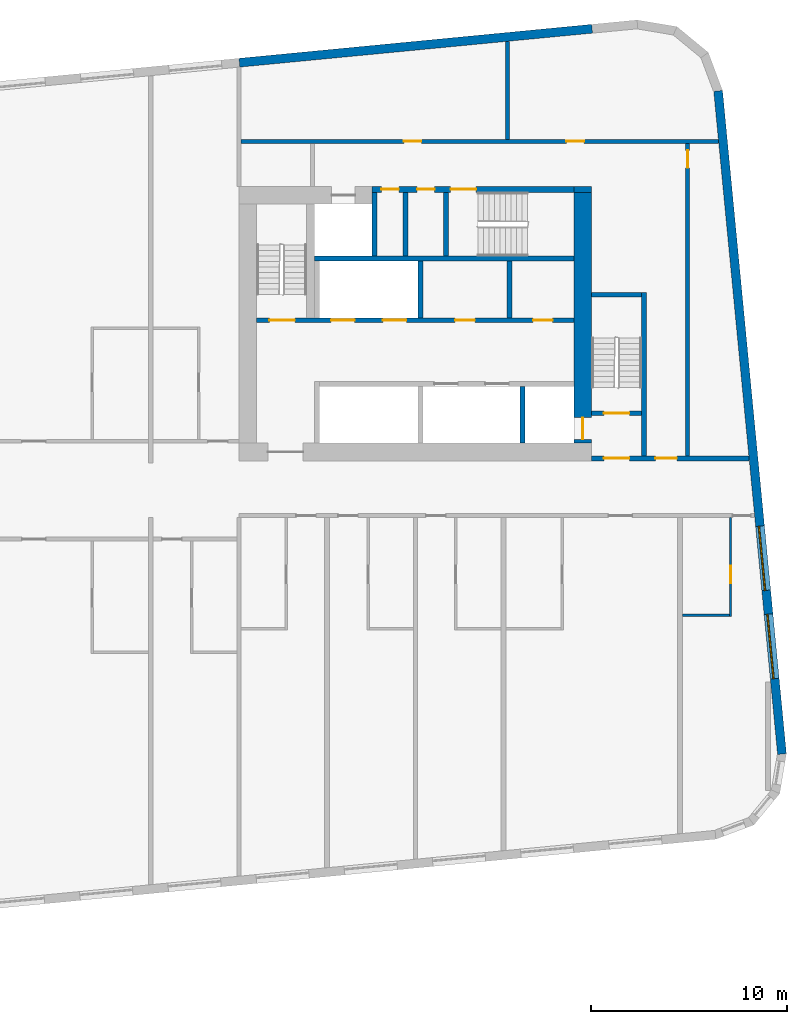
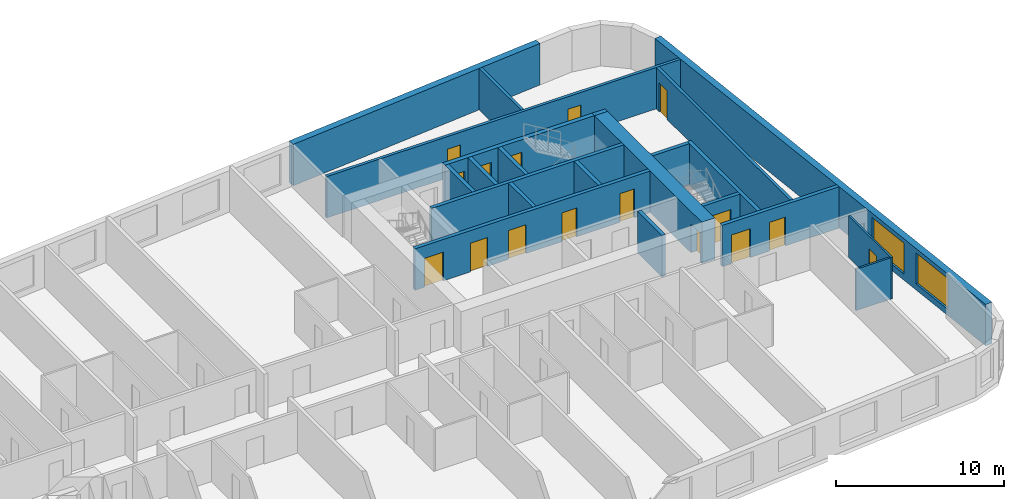
# One storey, part 7 of 12: 22 walls, 16 doors, 2 windows, 18 openings.
"""IFC4 building model written with IfcOpenShell, lengths in metres."""

from ifc_helpers import new_model, si_unit, direction, frame, frame_2d, origin, place, context, subcontext, project, spatial, rectangle, extrude, material, layer, layer_set, type_object, element, fill, save


model = new_model("IFC4")

# Units and contexts
model_context = context("Model", 3, precision=1e-05, world=origin(), true_north=direction((0.0, 1.0)))
body_context = subcontext(model_context, "Body", "Model", "MODEL_VIEW")
ifc_project = project(units=[si_unit("LENGTHUNIT", "METRE"), si_unit("AREAUNIT", "SQUARE_METRE"), si_unit("VOLUMEUNIT", "CUBIC_METRE"), si_unit("PLANEANGLEUNIT", "RADIAN"), si_unit("MASSUNIT", "GRAM", prefix="KILO")], contexts=[model_context])

# Site, building, storey
site_placement = place(None, origin())
site = spatial("IfcSite", under=ifc_project, at=site_placement, CompositionType="ELEMENT")
building_placement = place(site_placement, origin())
building = spatial("IfcBuilding", under=site, at=building_placement, Name="Kajstack Hotel Tower", CompositionType="ELEMENT")
storey_placement = place(building_placement, frame((0.0, 0.0, 173.5)))
storey = spatial("IfcBuildingStorey", under=building, at=storey_placement, Name="L40", CompositionType="ELEMENT", Elevation=173.5)

# Wall
ifc_material_1 = material(Name="Concrete C60/75", Category="concrete")
ifc_layer_1 = layer(ifc_material_1, 0.89990234375)
ifc_layer_set_1 = layer_set([ifc_layer_1], Name="Core wall 900")
wall_type_1 = type_object("IfcWallType", Name="Core wall 900", PredefinedType="SHEAR", material=ifc_layer_set_1)
wall_1_placement = place(storey_placement, frame((30.60009765625, 15.35009765625, 0.0), z_axis=(0.0, 0.0, 1.0), x_axis=(1.0, 0.0, 0.0)))
element("IfcWall", 1, at=wall_1_placement, inside=storey, type_object=wall_type_1, Name="Core wall E RSW", PredefinedType="SHEAR", context=body_context, shape_type="SweptSolid", body=[
    extrude(rectangle(XDim=0.89990234375, YDim=0.300048828125, at=frame_2d((0.449951171875, 0.0))), origin(), (0.0, 0.0, 1.0), 3.02001953125),
])

# Wall, opening, door
wall_2_placement = place(storey_placement, frame((31.050048828125, 2.39990234375, 0.0), z_axis=(0.0, 0.0, 1.0), x_axis=(0.0, 1.0, 0.0)))
wall_2 = element("IfcWall", 2, at=wall_2_placement, inside=storey, type_object=wall_type_1, Name="Core wall E RW", PredefinedType="SHEAR", context=body_context, shape_type="SweptSolid", body=[
    extrude(rectangle(XDim=12.800048828125, YDim=0.89990234375, at=frame_2d((6.39990234375, 0.0))), origin(), (0.0, 0.0, 1.0), 3.02001953125),
])
opening_1_placement = place(wall_2_placement, frame((0.199951171875, 0.0, 0.0)))
opening_1 = element("IfcOpeningElement", 3, at=opening_1_placement, cuts=wall_2, Name="Opening LD-FF2", PredefinedType="OPENING", context=body_context, shape_type="SweptSolid", body=[
    extrude(rectangle(XDim=1.10009765625, YDim=2.10009765625, at=frame_2d((0.550048828125, 1.050048828125))), frame((0.0, 0.4599609375, 0.0), z_axis=(0.0, -1.0, 0.0), x_axis=(1.0, 0.0, 0.0)), (0.0, 0.0, 1.0), 0.919921875),
])
ifc_material_2 = material(Name="Stainless steel", Category="steel")
door_type_1 = type_object("IfcDoorType", Name="Fire-fighting lift landing door 1100", OperationType="SLIDING_TO_LEFT", PredefinedType="DOOR", material=ifc_material_2)
door_1_placement = place(opening_1_placement, origin())
door_1 = element("IfcDoor", 4, at=door_1_placement, inside=storey, type_object=door_type_1, Name="Landing door FF2", OperationType="SLIDING_TO_LEFT", OverallHeight=2.10009765625, OverallWidth=1.10009765625, PredefinedType="DOOR", context=body_context, shape_type="SweptSolid", body=[
    extrude(rectangle(XDim=1.10009765625, YDim=2.10009765625, at=frame_2d((0.550048828125, 1.050048828125))), frame((0.0, 0.02490234375, 0.0), z_axis=(0.0, -1.0, 0.0), x_axis=(1.0, 0.0, 0.0)), (0.0, 0.0, 1.0), 0.050048828125),
])
fill(opening_1, door_1)

# Wall
ifc_material_3 = material(Name="Concrete C40/50", Category="concrete")
ifc_layer_2 = layer(ifc_material_3, 0.449951171875)
ifc_layer_set_2 = layer_set([ifc_layer_2], Name="EW-CORE")
wall_type_2 = type_object("IfcWallType", Name="EW-CORE", PredefinedType="SOLIDWALL", material=ifc_layer_set_2)
wall_3_placement = place(storey_placement, frame((31.521484375, 23.55078125, 0.0), z_axis=(0.0, 0.0, 1.0), x_axis=(-0.995395166513, -0.095856468129, 0.0)))
element("IfcWall", 5, at=wall_3_placement, inside=storey, type_object=wall_type_2, Name="E-wall-L40-12-01", PredefinedType="SOLIDWALL", context=body_context, shape_type="SweptSolid", body=[
    extrude(rectangle(XDim=18.083251953125, YDim=0.449951171875, at=frame_2d((9.04150390625, 0.0))), origin(), (0.0, 0.0, 1.0), 3.02001953125),
])

# Wall, openings, windows
ifc_material_4 = material(Name="Terracotta-faced brick masonry", Category="masonry")
ifc_layer_3 = layer(ifc_material_4, 0.449951171875)
ifc_layer_set_3 = layer_set([ifc_layer_3], Name="EW-TERRA")
wall_type_3 = type_object("IfcWallType", Name="EW-TERRA", PredefinedType="SOLIDWALL", material=ifc_layer_set_3)
wall_4_placement = place(storey_placement, frame((41.21435546875, -13.465576171875, 0.0), z_axis=(0.0, 0.0, 1.0), x_axis=(-0.095847314626, 0.995396047952, 0.0)))
wall_4 = element("IfcWall", 6, at=wall_4_placement, inside=storey, type_object=wall_type_3, Name="E-wall-L40-08-00", PredefinedType="SOLIDWALL", context=body_context, shape_type="SweptSolid", body=[
    extrude(rectangle(XDim=33.999755859375, YDim=0.449951171875, at=frame_2d((17.0, 0.0))), origin(), (0.0, 0.0, 1.0), 3.02001953125),
])
opening_2_placement = place(wall_4_placement, frame((3.869384765625, 0.0, 0.449951171875)))
opening_2 = element("IfcOpeningElement", 7, at=opening_2_placement, cuts=wall_4, Name="Opening W2", PredefinedType="OPENING", context=body_context, shape_type="SweptSolid", body=[
    extrude(rectangle(XDim=3.300048828125, YDim=2.25, at=frame_2d((1.64990234375, 1.125))), frame((0.0, 0.23486328125, 0.0), z_axis=(0.0, -1.0, 0.0), x_axis=(1.0, 0.0, 0.0)), (0.0, 0.0, 1.0), 0.469970703125),
])
opening_3_placement = place(wall_4_placement, frame((8.390380859375, 0.0, 0.449951171875)))
opening_3 = element("IfcOpeningElement", 8, at=opening_3_placement, cuts=wall_4, Name="Opening W2", PredefinedType="OPENING", context=body_context, shape_type="SweptSolid", body=[
    extrude(rectangle(XDim=3.300048828125, YDim=2.25, at=frame_2d((1.64990234375, 1.125))), frame((0.0, 0.23486328125, 0.0), z_axis=(0.0, -1.0, 0.0), x_axis=(1.0, 0.0, 0.0)), (0.0, 0.0, 1.0), 0.469970703125),
])
ifc_material_5 = material(Name="Timber-aluminium window, triple glazed", Category="wood")
window_type = type_object("IfcWindowType", Name="WG2", PartitioningType="SINGLE_PANEL", PredefinedType="WINDOW", material=ifc_material_5)
window_1_placement = place(opening_2_placement, origin())
window_1 = element("IfcWindow", 9, at=window_1_placement, inside=storey, type_object=window_type, Name="Window W2 L40-08", OverallHeight=2.25, OverallWidth=3.300048828125, PartitioningType="SINGLE_PANEL", PredefinedType="WINDOW", context=body_context, shape_type="SweptSolid", body=[
    extrude(rectangle(XDim=3.300048828125, YDim=2.25, at=frame_2d((1.64990234375, 1.125))), frame((0.0, 0.090087890625, 0.0), z_axis=(0.0, -1.0, 0.0), x_axis=(1.0, 0.0, 0.0)), (0.0, 0.0, 1.0), 0.06005859375),
])
fill(opening_2, window_1)
window_2_placement = place(opening_3_placement, origin())
window_2 = element("IfcWindow", 10, at=window_2_placement, inside=storey, type_object=window_type, Name="Window W2 L40-08", OverallHeight=2.25, OverallWidth=3.300048828125, PartitioningType="SINGLE_PANEL", PredefinedType="WINDOW", context=body_context, shape_type="SweptSolid", body=[
    extrude(rectangle(XDim=3.300048828125, YDim=2.25, at=frame_2d((1.64990234375, 1.125))), frame((0.0, 0.090087890625, 0.0), z_axis=(0.0, -1.0, 0.0), x_axis=(1.0, 0.0, 0.0)), (0.0, 0.0, 1.0), 0.06005859375),
])
fill(opening_3, window_2)

# Wall, opening, door
ifc_material_6 = material(Name="Gypsum board and tiled backer on steel studs", Category="steel")
ifc_layer_4 = layer(ifc_material_6, 0.125)
ifc_layer_set_4 = layer_set([ifc_layer_4], Name="En-suite wall 125")
wall_type_4 = type_object("IfcWallType", Name="En-suite wall 125", PredefinedType="PARTITIONING", material=ifc_layer_set_4)
wall_5_placement = place(storey_placement, frame((38.5869140625, -6.445068359375, 0.0), z_axis=(0.0, 0.0, 1.0), x_axis=(0.0, 1.0, 0.0)))
wall_5 = element("IfcWall", 11, at=wall_5_placement, inside=storey, type_object=wall_type_4, Name="G-wall-L40-051", PredefinedType="PARTITIONING", context=body_context, shape_type="SweptSolid", body=[
    extrude(rectangle(XDim=5.045166015625, YDim=0.125, at=frame_2d((2.5224609375, 0.0))), origin(), (0.0, 0.0, 1.0), 3.02001953125),
])
opening_4_placement = place(wall_5_placement, frame((1.695068359375, 0.0, 0.0)))
opening_4 = element("IfcOpeningElement", 12, at=opening_4_placement, cuts=wall_5, Name="Opening 40040", PredefinedType="OPENING", context=body_context, shape_type="SweptSolid", body=[
    extrude(rectangle(XDim=0.89990234375, YDim=2.10009765625, at=frame_2d((0.449951171875, 1.050048828125))), frame((0.0, 0.072509765625, 0.0), z_axis=(0.0, -1.0, 0.0), x_axis=(1.0, 0.0, 0.0)), (0.0, 0.0, 1.0), 0.14501953125),
])
ifc_material_7 = material(Name="Painted timber door leaf", Category="wood")
door_type_2 = type_object("IfcDoorType", Name="Room door 900", OperationType="SINGLE_SWING_LEFT", PredefinedType="DOOR", material=ifc_material_7)
door_2_placement = place(opening_4_placement, origin())
door_2 = element("IfcDoor", 13, at=door_2_placement, inside=storey, type_object=door_type_2, Name="G-door-L40-40", OperationType="SINGLE_SWING_RIGHT", OverallHeight=2.10009765625, OverallWidth=0.89990234375, PredefinedType="DOOR", context=body_context, shape_type="SweptSolid", body=[
    extrude(rectangle(XDim=0.89990234375, YDim=2.10009765625, at=frame_2d((0.449951171875, 1.050048828125))), frame((0.0, 0.02490234375, 0.0), z_axis=(0.0, -1.0, 0.0), x_axis=(1.0, 0.0, 0.0)), (0.0, 0.0, 1.0), 0.050048828125),
])
fill(opening_4, door_2)

# Walls
wall_6_placement = place(storey_placement, frame((36.125, -6.382080078125, 0.0), z_axis=(0.0, 0.0, 1.0), x_axis=(1.0, 0.0, 0.0)))
element("IfcWall", 14, at=wall_6_placement, inside=storey, type_object=wall_type_4, Name="G-wall-L40-052", PredefinedType="PARTITIONING", context=body_context, shape_type="SweptSolid", body=[
    extrude(rectangle(XDim=2.39990234375, YDim=0.125, at=frame_2d((1.199951171875, 0.0))), origin(), (0.0, 0.0, 1.0), 3.02001953125),
])
ifc_material_8 = material(Name="Concrete C50/60", Category="concrete")
ifc_layer_5 = layer(ifc_material_8, 0.300048828125)
ifc_layer_set_5 = layer_set([ifc_layer_5], Name="Hoistway divider wall 300")
wall_type_5 = type_object("IfcWallType", Name="Hoistway divider wall 300", PredefinedType="SHEAR", material=ifc_layer_set_5)
wall_7_placement = place(storey_placement, frame((22.77490234375, 8.800048828125, 0.0), z_axis=(0.0, 0.0, 1.0), x_axis=(0.0, 1.0, 0.0)))
element("IfcWall", 15, at=wall_7_placement, inside=storey, type_object=wall_type_5, Name="Core wall E BP2", PredefinedType="SHEAR", context=body_context, shape_type="SweptSolid", body=[
    extrude(rectangle(XDim=2.89990234375, YDim=0.25, at=frame_2d((1.449951171875, 0.0))), origin(), (0.0, 0.0, 1.0), 3.02001953125),
])
ifc_material_9 = material(Name="Concrete block masonry", Category="masonry")
ifc_layer_6 = layer(ifc_material_9, 0.25)
ifc_layer_set_6 = layer_set([ifc_layer_6], Name="Riser partition 250")
wall_type_6 = type_object("IfcWallType", Name="Riser partition 250", PredefinedType="PARTITIONING", material=ifc_layer_set_6)
wall_8_placement = place(storey_placement, frame((27.300048828125, 8.800048828125, 0.0), z_axis=(0.0, 0.0, 1.0), x_axis=(0.0, 1.0, 0.0)))
element("IfcWall", 16, at=wall_8_placement, inside=storey, type_object=wall_type_6, Name="Partition E BF0", PredefinedType="PARTITIONING", context=body_context, shape_type="SweptSolid", body=[
    extrude(rectangle(XDim=2.89990234375, YDim=0.25, at=frame_2d((1.449951171875, 0.0))), origin(), (0.0, 0.0, 1.0), 3.02001953125),
])
wall_9_placement = place(storey_placement, frame((22.0, 11.949951171875, 0.0), z_axis=(0.0, 0.0, 1.0), x_axis=(0.0, 1.0, 0.0)))
element("IfcWall", 17, at=wall_9_placement, inside=storey, type_object=wall_type_6, Name="Partition E SZ0", PredefinedType="PARTITIONING", context=body_context, shape_type="SweptSolid", body=[
    extrude(rectangle(XDim=3.25, YDim=0.25, at=frame_2d((1.625, 0.0))), origin(), (0.0, 0.0, 1.0), 3.02001953125),
])

# Wall, openings, doors
ifc_material_10 = material(Name="Gypsum board on steel studs, mineral wool", Category="steel")
ifc_layer_7 = layer(ifc_material_10, 0.199951171875)
ifc_layer_set_7 = layer_set([ifc_layer_7], Name="Service partition 200")
wall_type_7 = type_object("IfcWallType", Name="Service partition 200", PredefinedType="PARTITIONING", material=ifc_layer_set_7)
wall_10_placement = place(storey_placement, frame((31.5, 1.625, 0.0), z_axis=(0.0, 0.0, 1.0), x_axis=(1.0, 0.0, 0.0)))
wall_10 = element("IfcWall", 18, at=wall_10_placement, inside=storey, type_object=wall_type_7, Name="Partition E SN", PredefinedType="PARTITIONING", context=body_context, shape_type="SweptSolid", body=[
    extrude(rectangle(XDim=8.035400390625, YDim=0.25, at=frame_2d((4.017578125, 0.0))), origin(), (0.0, 0.0, 1.0), 3.02001953125),
])
opening_5_placement = place(wall_10_placement, frame((0.625, 0.0, 0.0)))
opening_5 = element("IfcOpeningElement", 19, at=opening_5_placement, cuts=wall_10, Name="Opening 40E08", PredefinedType="OPENING", context=body_context, shape_type="SweptSolid", body=[
    extrude(rectangle(XDim=1.300048828125, YDim=2.10009765625, at=frame_2d((0.64990234375, 1.050048828125))), frame((0.0, 0.135009765625, 0.0), z_axis=(0.0, -1.0, 0.0), x_axis=(1.0, 0.0, 0.0)), (0.0, 0.0, 1.0), 0.27001953125),
])
opening_6_placement = place(wall_10_placement, frame((3.25, 0.0, 0.0)))
opening_6 = element("IfcOpeningElement", 20, at=opening_6_placement, cuts=wall_10, Name="Opening 40E10", PredefinedType="OPENING", context=body_context, shape_type="SweptSolid", body=[
    extrude(rectangle(XDim=1.10009765625, YDim=2.10009765625, at=frame_2d((0.550048828125, 1.050048828125))), frame((0.0, 0.135009765625, 0.0), z_axis=(0.0, -1.0, 0.0), x_axis=(1.0, 0.0, 0.0)), (0.0, 0.0, 1.0), 0.27001953125),
])
ifc_material_11 = material(Name="Steel leaf, fire-rated", Category="steel")
door_type_3 = type_object("IfcDoorType", Name="Fire lobby door 1300", OperationType="SINGLE_SWING_LEFT", PredefinedType="DOOR", material=ifc_material_11)
door_3_placement = place(opening_5_placement, origin())
door_3 = element("IfcDoor", 21, at=door_3_placement, inside=storey, type_object=door_type_3, Name="Door 40E08", OperationType="SINGLE_SWING_LEFT", OverallHeight=2.10009765625, OverallWidth=1.300048828125, PredefinedType="DOOR", context=body_context, shape_type="SweptSolid", body=[
    extrude(rectangle(XDim=1.300048828125, YDim=2.10009765625, at=frame_2d((0.64990234375, 1.050048828125))), frame((0.0, 0.02490234375, 0.0), z_axis=(0.0, -1.0, 0.0), x_axis=(1.0, 0.0, 0.0)), (0.0, 0.0, 1.0), 0.050048828125),
])
fill(opening_5, door_3)
ifc_material_12 = material(Name="Timber leaf, fire-rated", Category="wood")
door_type_4 = type_object("IfcDoorType", Name="Service corridor door 1100", OperationType="SINGLE_SWING_LEFT", PredefinedType="DOOR", material=ifc_material_12)
door_4_placement = place(opening_6_placement, origin())
door_4 = element("IfcDoor", 22, at=door_4_placement, inside=storey, type_object=door_type_4, Name="Door 40E10", OperationType="SINGLE_SWING_LEFT", OverallHeight=2.10009765625, OverallWidth=1.10009765625, PredefinedType="DOOR", context=body_context, shape_type="SweptSolid", body=[
    extrude(rectangle(XDim=1.10009765625, YDim=2.10009765625, at=frame_2d((0.550048828125, 1.050048828125))), frame((0.0, 0.02490234375, 0.0), z_axis=(0.0, -1.0, 0.0), x_axis=(1.0, 0.0, 0.0)), (0.0, 0.0, 1.0), 0.050048828125),
])
fill(opening_6, door_4)

# Wall, opening, door
wall_11_placement = place(storey_placement, frame((36.39990234375, 1.75, 0.0), z_axis=(0.0, 0.0, 1.0), x_axis=(0.0, 1.0, 0.0)))
wall_11 = element("IfcWall", 23, at=wall_11_placement, inside=storey, type_object=wall_type_7, Name="Partition E WRE", PredefinedType="PARTITIONING", context=body_context, shape_type="SweptSolid", body=[
    extrude(rectangle(XDim=15.949951171875, YDim=0.199951171875, at=frame_2d((7.97509765625, 0.0))), origin(), (0.0, 0.0, 1.0), 3.02001953125),
])
opening_7_placement = place(wall_11_placement, frame((14.699951171875, 0.0, 0.0)))
opening_7 = element("IfcOpeningElement", 24, at=opening_7_placement, cuts=wall_11, Name="Opening 40E19", PredefinedType="OPENING", context=body_context, shape_type="SweptSolid", body=[
    extrude(rectangle(XDim=0.89990234375, YDim=2.10009765625, at=frame_2d((0.449951171875, 1.050048828125))), frame((0.0, 0.10986328125, 0.0), z_axis=(0.0, -1.0, 0.0), x_axis=(1.0, 0.0, 0.0)), (0.0, 0.0, 1.0), 0.219970703125),
])
door_type_5 = type_object("IfcDoorType", Name="Service door 900", OperationType="SINGLE_SWING_LEFT", PredefinedType="DOOR", material=ifc_material_12)
door_5_placement = place(opening_7_placement, origin())
door_5 = element("IfcDoor", 25, at=door_5_placement, inside=storey, type_object=door_type_5, Name="Door 40E19", OperationType="SINGLE_SWING_RIGHT", OverallHeight=2.10009765625, OverallWidth=0.89990234375, PredefinedType="DOOR", context=body_context, shape_type="SweptSolid", body=[
    extrude(rectangle(XDim=0.89990234375, YDim=2.10009765625, at=frame_2d((0.449951171875, 1.050048828125))), frame((0.0, 0.02490234375, 0.0), z_axis=(0.0, -1.0, 0.0), x_axis=(1.0, 0.0, 0.0)), (0.0, 0.0, 1.0), 0.050048828125),
])
fill(opening_7, door_5)

# Wall, openings, doors
wall_12_placement = place(storey_placement, frame((13.60009765625, 17.800048828125, 0.0), z_axis=(0.0, 0.0, 1.0), x_axis=(1.0, 0.0, 0.0)))
wall_12 = element("IfcWall", 26, at=wall_12_placement, inside=storey, type_object=wall_type_7, Name="Partition E SLN", PredefinedType="PARTITIONING", context=body_context, shape_type="SweptSolid", body=[
    extrude(rectangle(XDim=24.377685546875, YDim=0.199951171875, at=frame_2d((12.18896484375, 0.0))), origin(), (0.0, 0.0, 1.0), 3.02001953125),
])
opening_8_placement = place(wall_12_placement, frame((16.612548828125, 0.0, 0.0)))
opening_8 = element("IfcOpeningElement", 27, at=opening_8_placement, cuts=wall_12, Name="Opening 40E17", PredefinedType="OPENING", context=body_context, shape_type="SweptSolid", body=[
    extrude(rectangle(XDim=0.89990234375, YDim=2.10009765625, at=frame_2d((0.449951171875, 1.050048828125))), frame((0.0, 0.10986328125, 0.0), z_axis=(0.0, -1.0, 0.0), x_axis=(1.0, 0.0, 0.0)), (0.0, 0.0, 1.0), 0.219970703125),
])
opening_9_placement = place(wall_12_placement, frame((8.3125, 0.0, 0.0)))
opening_9 = element("IfcOpeningElement", 28, at=opening_9_placement, cuts=wall_12, Name="Opening 40E18", PredefinedType="OPENING", context=body_context, shape_type="SweptSolid", body=[
    extrude(rectangle(XDim=0.89990234375, YDim=2.10009765625, at=frame_2d((0.449951171875, 1.050048828125))), frame((0.0, 0.10986328125, 0.0), z_axis=(0.0, -1.0, 0.0), x_axis=(1.0, 0.0, 0.0)), (0.0, 0.0, 1.0), 0.219970703125),
])
door_6_placement = place(opening_8_placement, origin())
door_6 = element("IfcDoor", 29, at=door_6_placement, inside=storey, type_object=door_type_5, Name="Door 40E17", OperationType="SINGLE_SWING_LEFT", OverallHeight=2.10009765625, OverallWidth=0.89990234375, PredefinedType="DOOR", context=body_context, shape_type="SweptSolid", body=[
    extrude(rectangle(XDim=0.89990234375, YDim=2.10009765625, at=frame_2d((0.449951171875, 1.050048828125))), frame((0.0, 0.02490234375, 0.0), z_axis=(0.0, -1.0, 0.0), x_axis=(1.0, 0.0, 0.0)), (0.0, 0.0, 1.0), 0.050048828125),
])
fill(opening_8, door_6)
door_7_placement = place(opening_9_placement, origin())
door_7 = element("IfcDoor", 30, at=door_7_placement, inside=storey, type_object=door_type_5, Name="Door 40E18", OperationType="SINGLE_SWING_LEFT", OverallHeight=2.10009765625, OverallWidth=0.89990234375, PredefinedType="DOOR", context=body_context, shape_type="SweptSolid", body=[
    extrude(rectangle(XDim=0.89990234375, YDim=2.10009765625, at=frame_2d((0.449951171875, 1.050048828125))), frame((0.0, 0.02490234375, 0.0), z_axis=(0.0, -1.0, 0.0), x_axis=(1.0, 0.0, 0.0)), (0.0, 0.0, 1.0), 0.050048828125),
])
fill(opening_9, door_7)

# Wall
wall_13_placement = place(storey_placement, frame((27.199951171875, 17.89990234375, 0.0), z_axis=(0.0, 0.0, 1.0), x_axis=(0.0, 1.0, 0.0)))
element("IfcWall", 31, at=wall_13_placement, inside=storey, type_object=wall_type_7, Name="Partition E SLP0", PredefinedType="PARTITIONING", context=body_context, shape_type="SweptSolid", body=[
    extrude(rectangle(XDim=5.009521484375, YDim=0.199951171875, at=frame_2d((2.5048828125, 0.0))), origin(), (0.0, 0.0, 1.0), 3.02001953125),
])

# Wall, openings, doors
ifc_layer_8 = layer(ifc_material_8, 0.25)
ifc_layer_set_8 = layer_set([ifc_layer_8], Name="Shaft wall 250")
wall_type_8 = type_object("IfcWallType", Name="Shaft wall 250", PredefinedType="SHEAR", material=ifc_layer_set_8)
wall_14_placement = place(storey_placement, frame((20.300048828125, 15.35009765625, 0.0), z_axis=(0.0, 0.0, 1.0), x_axis=(1.0, 0.0, 0.0)))
wall_14 = element("IfcWall", 32, at=wall_14_placement, inside=storey, type_object=wall_type_8, Name="Core wall E RSS", PredefinedType="SHEAR", context=body_context, shape_type="SweptSolid", body=[
    extrude(rectangle(XDim=10.300048828125, YDim=0.300048828125, at=frame_2d((5.14990234375, 0.0))), origin(), (0.0, 0.0, 1.0), 3.02001953125),
])
opening_10_placement = place(wall_14_placement, frame((4.0, 0.0, 0.0)))
opening_10 = element("IfcOpeningElement", 33, at=opening_10_placement, cuts=wall_14, Name="Opening 40E12", PredefinedType="OPENING", context=body_context, shape_type="SweptSolid", body=[
    extrude(rectangle(XDim=1.300048828125, YDim=2.10009765625, at=frame_2d((0.64990234375, 1.050048828125))), frame((0.0, 0.159912109375, 0.0), z_axis=(0.0, -1.0, 0.0), x_axis=(1.0, 0.0, 0.0)), (0.0, 0.0, 1.0), 0.320068359375),
])
opening_11_placement = place(wall_14_placement, frame((2.28759765625, 0.0, 0.0)))
opening_11 = element("IfcOpeningElement", 34, at=opening_11_placement, cuts=wall_14, Name="Opening 40E13", PredefinedType="OPENING", context=body_context, shape_type="SweptSolid", body=[
    extrude(rectangle(XDim=0.89990234375, YDim=2.10009765625, at=frame_2d((0.449951171875, 1.050048828125))), frame((0.0, 0.159912109375, 0.0), z_axis=(0.0, -1.0, 0.0), x_axis=(1.0, 0.0, 0.0)), (0.0, 0.0, 1.0), 0.320068359375),
])
opening_12_placement = place(wall_14_placement, frame((0.46240234375, 0.0, 0.0)))
opening_12 = element("IfcOpeningElement", 35, at=opening_12_placement, cuts=wall_14, Name="Opening 40E14", PredefinedType="OPENING", context=body_context, shape_type="SweptSolid", body=[
    extrude(rectangle(XDim=0.89990234375, YDim=2.10009765625, at=frame_2d((0.449951171875, 1.050048828125))), frame((0.0, 0.159912109375, 0.0), z_axis=(0.0, -1.0, 0.0), x_axis=(1.0, 0.0, 0.0)), (0.0, 0.0, 1.0), 0.320068359375),
])
door_8_placement = place(opening_11_placement, origin())
door_8 = element("IfcDoor", 36, at=door_8_placement, inside=storey, type_object=door_type_5, Name="Door 40E13", OperationType="SINGLE_SWING_RIGHT", OverallHeight=2.10009765625, OverallWidth=0.89990234375, PredefinedType="DOOR", context=body_context, shape_type="SweptSolid", body=[
    extrude(rectangle(XDim=0.89990234375, YDim=2.10009765625, at=frame_2d((0.449951171875, 1.050048828125))), frame((0.0, 0.02490234375, 0.0), z_axis=(0.0, -1.0, 0.0), x_axis=(1.0, 0.0, 0.0)), (0.0, 0.0, 1.0), 0.050048828125),
])
fill(opening_11, door_8)
door_9_placement = place(opening_12_placement, origin())
door_9 = element("IfcDoor", 37, at=door_9_placement, inside=storey, type_object=door_type_5, Name="Door 40E14", OperationType="SINGLE_SWING_RIGHT", OverallHeight=2.10009765625, OverallWidth=0.89990234375, PredefinedType="DOOR", context=body_context, shape_type="SweptSolid", body=[
    extrude(rectangle(XDim=0.89990234375, YDim=2.10009765625, at=frame_2d((0.449951171875, 1.050048828125))), frame((0.0, 0.02490234375, 0.0), z_axis=(0.0, -1.0, 0.0), x_axis=(1.0, 0.0, 0.0)), (0.0, 0.0, 1.0), 0.050048828125),
])
fill(opening_12, door_9)
door_type_6 = type_object("IfcDoorType", Name="Stair door 1300", OperationType="SINGLE_SWING_LEFT", PredefinedType="DOOR", material=ifc_material_11)
door_10_placement = place(opening_10_placement, origin())
door_10 = element("IfcDoor", 38, at=door_10_placement, inside=storey, type_object=door_type_6, Name="Door 40E12", OperationType="SINGLE_SWING_LEFT", OverallHeight=2.10009765625, OverallWidth=1.300048828125, PredefinedType="DOOR", context=body_context, shape_type="SweptSolid", body=[
    extrude(rectangle(XDim=1.300048828125, YDim=2.10009765625, at=frame_2d((0.64990234375, 1.050048828125))), frame((0.0, 0.02490234375, 0.0), z_axis=(0.0, -1.0, 0.0), x_axis=(1.0, 0.0, 0.0)), (0.0, 0.0, 1.0), 0.050048828125),
])
fill(opening_10, door_10)

# Wall
wall_15_placement = place(storey_placement, frame((27.97509765625, 2.39990234375, 0.0), z_axis=(0.0, 0.0, 1.0), x_axis=(0.0, 1.0, 0.0)))
element("IfcWall", 39, at=wall_15_placement, inside=storey, type_object=wall_type_8, Name="Core wall E AP0", PredefinedType="SHEAR", context=body_context, shape_type="SweptSolid", body=[
    extrude(rectangle(XDim=2.900146484375, YDim=0.25, at=frame_2d((1.4501953125, 0.0))), origin(), (0.0, 0.0, 1.0), 3.02001953125),
])

# Wall, openings, doors
wall_16_placement = place(storey_placement, frame((14.39990234375, 8.675048828125, 0.0), z_axis=(0.0, 0.0, 1.0), x_axis=(1.0, 0.0, 0.0)))
wall_16 = element("IfcWall", 40, at=wall_16_placement, inside=storey, type_object=wall_type_8, Name="Core wall E FB", PredefinedType="SHEAR", context=body_context, shape_type="SweptSolid", body=[
    extrude(rectangle(XDim=16.2001953125, YDim=0.25, at=frame_2d((8.10009765625, 0.0))), origin(), (0.0, 0.0, 1.0), 3.02001953125),
])
opening_13_placement = place(wall_16_placement, frame((6.449951171875, 0.0, 0.0)))
opening_13 = element("IfcOpeningElement", 41, at=opening_13_placement, cuts=wall_16, Name="Opening LD-MR5", PredefinedType="OPENING", context=body_context, shape_type="SweptSolid", body=[
    extrude(rectangle(XDim=1.199951171875, YDim=2.10009765625, at=frame_2d((0.60009765625, 1.050048828125))), frame((0.0, 0.135009765625, 0.0), z_axis=(0.0, -1.0, 0.0), x_axis=(1.0, 0.0, 0.0)), (0.0, 0.0, 1.0), 0.27001953125),
])
opening_14_placement = place(wall_16_placement, frame((3.800048828125, 0.0, 0.0)))
opening_14 = element("IfcOpeningElement", 42, at=opening_14_placement, cuts=wall_16, Name="Opening LD-MR6", PredefinedType="OPENING", context=body_context, shape_type="SweptSolid", body=[
    extrude(rectangle(XDim=1.199951171875, YDim=2.10009765625, at=frame_2d((0.60009765625, 1.050048828125))), frame((0.0, 0.135009765625, 0.0), z_axis=(0.0, -1.0, 0.0), x_axis=(1.0, 0.0, 0.0)), (0.0, 0.0, 1.0), 0.27001953125),
])
opening_15_placement = place(wall_16_placement, frame((0.64990234375, 0.0, 0.0)))
opening_15 = element("IfcOpeningElement", 43, at=opening_15_placement, cuts=wall_16, Name="Opening 40E11", PredefinedType="OPENING", context=body_context, shape_type="SweptSolid", body=[
    extrude(rectangle(XDim=1.300048828125, YDim=2.10009765625, at=frame_2d((0.64990234375, 1.050048828125))), frame((0.0, 0.135009765625, 0.0), z_axis=(0.0, -1.0, 0.0), x_axis=(1.0, 0.0, 0.0)), (0.0, 0.0, 1.0), 0.27001953125),
])
opening_16_placement = place(wall_16_placement, frame((14.112548828125, 0.0, 0.0)))
opening_16 = element("IfcOpeningElement", 44, at=opening_16_placement, cuts=wall_16, Name="Opening 40E15", PredefinedType="OPENING", context=body_context, shape_type="SweptSolid", body=[
    extrude(rectangle(XDim=1.0, YDim=2.10009765625, at=frame_2d((0.5, 1.050048828125))), frame((0.0, 0.135009765625, 0.0), z_axis=(0.0, -1.0, 0.0), x_axis=(1.0, 0.0, 0.0)), (0.0, 0.0, 1.0), 0.27001953125),
])
opening_17_placement = place(wall_16_placement, frame((10.137451171875, 0.0, 0.0)))
opening_17 = element("IfcOpeningElement", 45, at=opening_17_placement, cuts=wall_16, Name="Opening 40E16", PredefinedType="OPENING", context=body_context, shape_type="SweptSolid", body=[
    extrude(rectangle(XDim=1.0, YDim=2.10009765625, at=frame_2d((0.5, 1.050048828125))), frame((0.0, 0.135009765625, 0.0), z_axis=(0.0, -1.0, 0.0), x_axis=(1.0, 0.0, 0.0)), (0.0, 0.0, 1.0), 0.27001953125),
])
door_type_7 = type_object("IfcDoorType", Name="Lift landing door 1200", OperationType="SLIDING_TO_LEFT", PredefinedType="DOOR", material=ifc_material_2)
door_11_placement = place(opening_13_placement, origin())
door_11 = element("IfcDoor", 46, at=door_11_placement, inside=storey, type_object=door_type_7, Name="Landing door MR5", OperationType="SLIDING_TO_LEFT", OverallHeight=2.10009765625, OverallWidth=1.199951171875, PredefinedType="DOOR", context=body_context, shape_type="SweptSolid", body=[
    extrude(rectangle(XDim=1.199951171875, YDim=2.10009765625, at=frame_2d((0.60009765625, 1.050048828125))), frame((0.0, 0.02490234375, 0.0), z_axis=(0.0, -1.0, 0.0), x_axis=(1.0, 0.0, 0.0)), (0.0, 0.0, 1.0), 0.050048828125),
])
fill(opening_13, door_11)
door_12_placement = place(opening_14_placement, origin())
door_12 = element("IfcDoor", 47, at=door_12_placement, inside=storey, type_object=door_type_7, Name="Landing door MR6", OperationType="SLIDING_TO_RIGHT", OverallHeight=2.10009765625, OverallWidth=1.199951171875, PredefinedType="DOOR", context=body_context, shape_type="SweptSolid", body=[
    extrude(rectangle(XDim=1.199951171875, YDim=2.10009765625, at=frame_2d((0.60009765625, 1.050048828125))), frame((0.0, 0.02490234375, 0.0), z_axis=(0.0, -1.0, 0.0), x_axis=(1.0, 0.0, 0.0)), (0.0, 0.0, 1.0), 0.050048828125),
])
fill(opening_14, door_12)
door_type_8 = type_object("IfcDoorType", Name="Service room door 1000", OperationType="SINGLE_SWING_LEFT", PredefinedType="DOOR", material=ifc_material_12)
door_13_placement = place(opening_16_placement, origin())
door_13 = element("IfcDoor", 48, at=door_13_placement, inside=storey, type_object=door_type_8, Name="Door 40E15", OperationType="SINGLE_SWING_LEFT", OverallHeight=2.10009765625, OverallWidth=1.0, PredefinedType="DOOR", context=body_context, shape_type="SweptSolid", body=[
    extrude(rectangle(XDim=1.0, YDim=2.10009765625, at=frame_2d((0.5, 1.050048828125))), frame((0.0, 0.02490234375, 0.0), z_axis=(0.0, -1.0, 0.0), x_axis=(1.0, 0.0, 0.0)), (0.0, 0.0, 1.0), 0.050048828125),
])
fill(opening_16, door_13)
door_14_placement = place(opening_17_placement, origin())
door_14 = element("IfcDoor", 49, at=door_14_placement, inside=storey, type_object=door_type_8, Name="Door 40E16", OperationType="SINGLE_SWING_LEFT", OverallHeight=2.10009765625, OverallWidth=1.0, PredefinedType="DOOR", context=body_context, shape_type="SweptSolid", body=[
    extrude(rectangle(XDim=1.0, YDim=2.10009765625, at=frame_2d((0.5, 1.050048828125))), frame((0.0, 0.02490234375, 0.0), z_axis=(0.0, -1.0, 0.0), x_axis=(1.0, 0.0, 0.0)), (0.0, 0.0, 1.0), 0.050048828125),
])
fill(opening_17, door_14)
door_15_placement = place(opening_15_placement, origin())
door_15 = element("IfcDoor", 50, at=door_15_placement, inside=storey, type_object=door_type_6, Name="Door 40E11", OperationType="SINGLE_SWING_LEFT", OverallHeight=2.10009765625, OverallWidth=1.300048828125, PredefinedType="DOOR", context=body_context, shape_type="SweptSolid", body=[
    extrude(rectangle(XDim=1.300048828125, YDim=2.10009765625, at=frame_2d((0.64990234375, 1.050048828125))), frame((0.0, 0.02490234375, 0.0), z_axis=(0.0, -1.0, 0.0), x_axis=(1.0, 0.0, 0.0)), (0.0, 0.0, 1.0), 0.050048828125),
])
fill(opening_15, door_15)

# Walls
wall_17_placement = place(storey_placement, frame((17.35009765625, 11.824951171875, 0.0), z_axis=(0.0, 0.0, 1.0), x_axis=(1.0, 0.0, 0.0)))
element("IfcWall", 51, at=wall_17_placement, inside=storey, type_object=wall_type_8, Name="Core wall E RB", PredefinedType="SHEAR", context=body_context, shape_type="SweptSolid", body=[
    extrude(rectangle(XDim=13.25, YDim=0.25, at=frame_2d((6.625, 0.0))), origin(), (0.0, 0.0, 1.0), 3.02001953125),
])
wall_18_placement = place(storey_placement, frame((20.425048828125, 11.949951171875, 0.0), z_axis=(0.0, 0.0, 1.0), x_axis=(0.0, 1.0, 0.0)))
element("IfcWall", 52, at=wall_18_placement, inside=storey, type_object=wall_type_8, Name="Core wall E SVW", PredefinedType="SHEAR", context=body_context, shape_type="SweptSolid", body=[
    extrude(rectangle(XDim=3.25, YDim=0.25, at=frame_2d((1.625, 0.0))), origin(), (0.0, 0.0, 1.0), 3.02001953125),
])

# Wall, opening, door
ifc_layer_9 = layer(ifc_material_3, 0.25)
ifc_layer_set_9 = layer_set([ifc_layer_9], Name="Stair enclosure wall 250")
wall_type_9 = type_object("IfcWallType", Name="Stair enclosure wall 250", PredefinedType="SHEAR", material=ifc_layer_set_9)
wall_19_placement = place(storey_placement, frame((31.5, 3.925048828125, 0.0), z_axis=(0.0, 0.0, 1.0), x_axis=(1.0, 0.0, 0.0)))
wall_19 = element("IfcWall", 53, at=wall_19_placement, inside=storey, type_object=wall_type_9, Name="Core wall E W1N", PredefinedType="SHEAR", context=body_context, shape_type="SweptSolid", body=[
    extrude(rectangle(XDim=2.550048828125, YDim=0.25, at=frame_2d((1.27490234375, 0.0))), origin(), (0.0, 0.0, 1.0), 3.02001953125),
])
opening_18_placement = place(wall_19_placement, frame((0.625, 0.0, 0.0)))
opening_18 = element("IfcOpeningElement", 54, at=opening_18_placement, cuts=wall_19, Name="Opening 40E09", PredefinedType="OPENING", context=body_context, shape_type="SweptSolid", body=[
    extrude(rectangle(XDim=1.300048828125, YDim=2.10009765625, at=frame_2d((0.64990234375, 1.050048828125))), frame((0.0, 0.135009765625, 0.0), z_axis=(0.0, -1.0, 0.0), x_axis=(1.0, 0.0, 0.0)), (0.0, 0.0, 1.0), 0.27001953125),
])
door_16_placement = place(opening_18_placement, origin())
door_16 = element("IfcDoor", 55, at=door_16_placement, inside=storey, type_object=door_type_6, Name="Door 40E09", OperationType="SINGLE_SWING_LEFT", OverallHeight=2.10009765625, OverallWidth=1.300048828125, PredefinedType="DOOR", context=body_context, shape_type="SweptSolid", body=[
    extrude(rectangle(XDim=1.300048828125, YDim=2.10009765625, at=frame_2d((0.64990234375, 1.050048828125))), frame((0.0, 0.02490234375, 0.0), z_axis=(0.0, -1.0, 0.0), x_axis=(1.0, 0.0, 0.0)), (0.0, 0.0, 1.0), 0.050048828125),
])
fill(opening_18, door_16)

# Walls
wall_20_placement = place(storey_placement, frame((34.175048828125, 1.75, 0.0), z_axis=(0.0, 0.0, 1.0), x_axis=(0.0, 1.0, 0.0)))
element("IfcWall", 56, at=wall_20_placement, inside=storey, type_object=wall_type_9, Name="Core wall E W1W", PredefinedType="SHEAR", context=body_context, shape_type="SweptSolid", body=[
    extrude(rectangle(XDim=8.35009765625, YDim=0.25, at=frame_2d((4.175048828125, 0.0))), origin(), (0.0, 0.0, 1.0), 3.02001953125),
])
wall_21_placement = place(storey_placement, frame((31.5, 9.97509765625, 0.0), z_axis=(0.0, 0.0, 1.0), x_axis=(1.0, 0.0, 0.0)))
element("IfcWall", 57, at=wall_21_placement, inside=storey, type_object=wall_type_9, Name="Core wall E W1S", PredefinedType="SHEAR", context=body_context, shape_type="SweptSolid", body=[
    extrude(rectangle(XDim=2.550048828125, YDim=0.25, at=frame_2d((1.27490234375, 0.0))), origin(), (0.0, 0.0, 1.0), 3.02001953125),
])
ifc_layer_10 = layer(ifc_material_8, 0.35009765625)
ifc_layer_set_10 = layer_set([ifc_layer_10], Name="Stair enclosure wall 350")
wall_type_10 = type_object("IfcWallType", Name="Stair enclosure wall 350", PredefinedType="SHEAR", material=ifc_layer_set_10)
wall_22_placement = place(storey_placement, frame((24.074951171875, 11.949951171875, 0.0), z_axis=(0.0, 0.0, 1.0), x_axis=(0.0, 1.0, 0.0)))
element("IfcWall", 58, at=wall_22_placement, inside=storey, type_object=wall_type_10, Name="Core wall E W3E", PredefinedType="SHEAR", context=body_context, shape_type="SweptSolid", body=[
    extrude(rectangle(XDim=3.25, YDim=0.25, at=frame_2d((1.625, 0.0))), origin(), (0.0, 0.0, 1.0), 3.02001953125),
])

save(model, "model.ifc")
